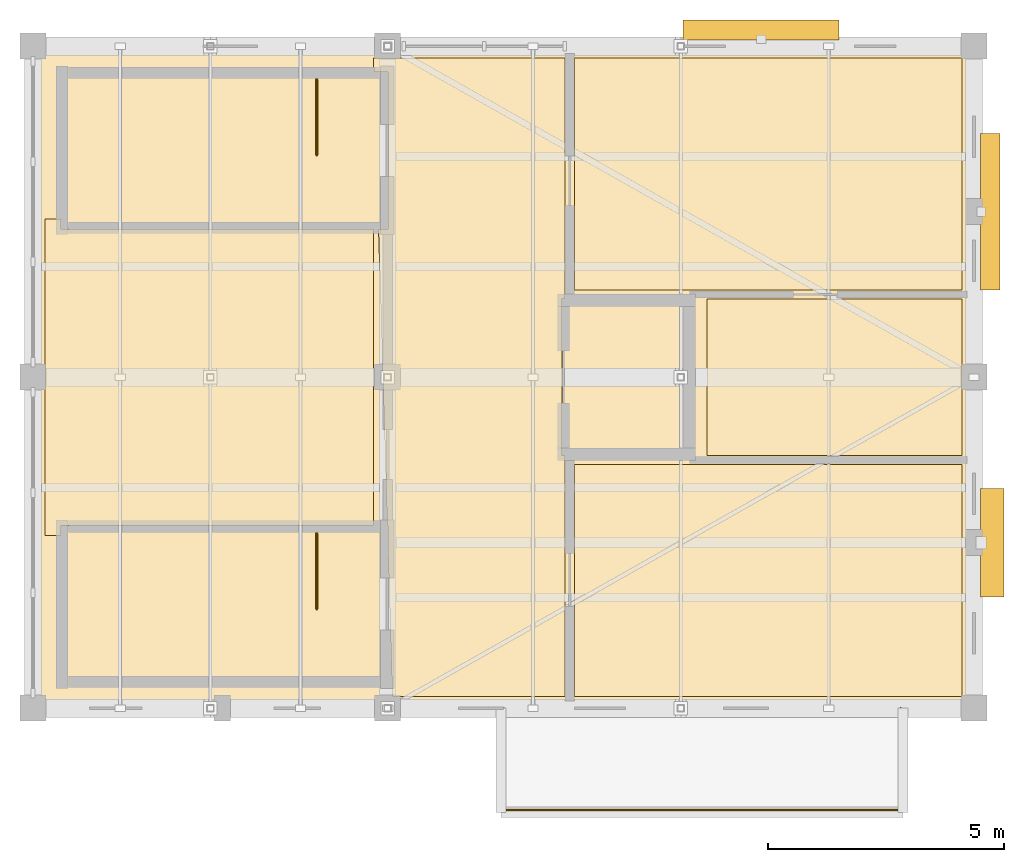
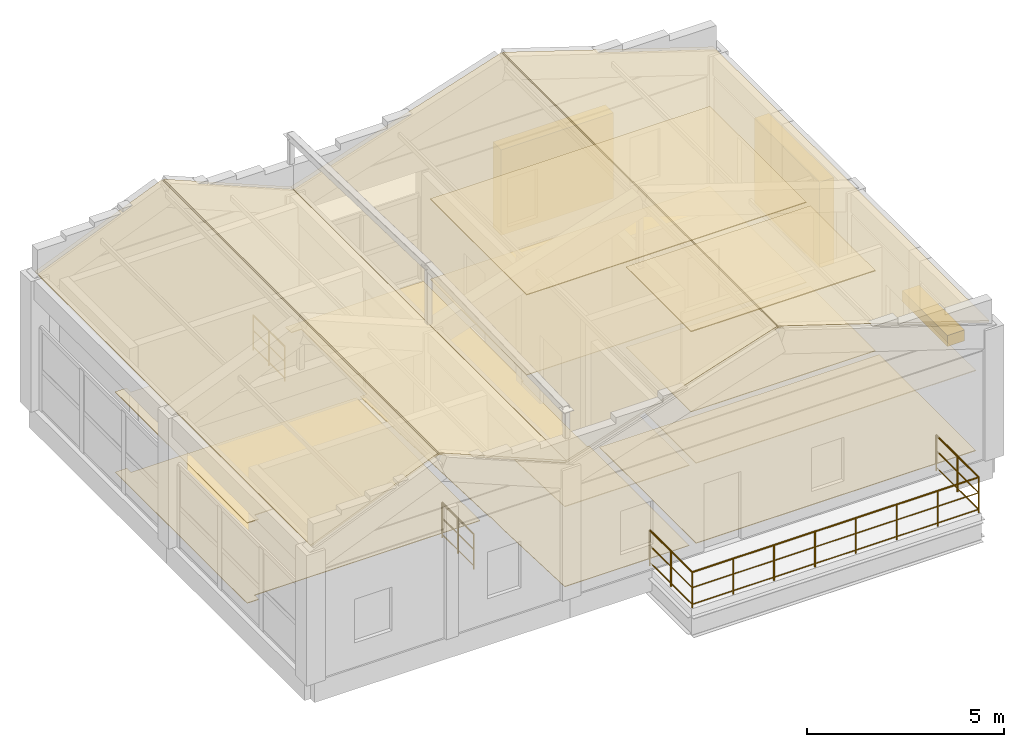
# One storey, part 8 of 8: 14 coverings, 3 railings, 3 shading devices.
"""IFC4 building model written with IfcOpenShell, lengths in metres."""

from ifc_helpers import new_model, si_unit, direction, frame, origin, origin_2d, place, context, subcontext, project, spatial, polyline, rectangle, circle, outline, extrude, material, layer, layer_set, type_object, element, save


model = new_model("IFC4")

# Units and contexts
model_context = context("Model", 3, precision=1e-05, world=origin(), true_north=direction((0.0, 1.0)))
body_context = subcontext(model_context, "Body", "Model", "MODEL_VIEW")
ifc_project = project(units=[si_unit("LENGTHUNIT", "METRE"), si_unit("AREAUNIT", "SQUARE_METRE"), si_unit("VOLUMEUNIT", "CUBIC_METRE"), si_unit("PLANEANGLEUNIT", "RADIAN"), si_unit("MASSUNIT", "GRAM", prefix="KILO")], contexts=[model_context])

# Site, building, storey
site_placement = place(None, origin())
site = spatial("IfcSite", under=ifc_project, at=site_placement, CompositionType="ELEMENT")
building_placement = place(site_placement, origin())
building = spatial("IfcBuilding", under=site, at=building_placement, Name="Trellovar Central Fire Station", CompositionType="ELEMENT")
storey_placement = place(building_placement, frame((0.0, 0.0, 22.050048828125)))
storey = spatial("IfcBuildingStorey", under=building, at=storey_placement, Name="L06", CompositionType="ELEMENT", Elevation=22.050048828125)

# Coverings
ifc_material_1 = material(Name="Perforated acoustic mineral fiber ceiling tile", Category="mineral")
ifc_layer_1 = layer(ifc_material_1, 0.02490234375)
ifc_layer_set_1 = layer_set([ifc_layer_1], Name="Perforated acoustic mineral fiber ceiling tile")
covering_type_1 = type_object("IfcCoveringType", Name="COV-CLG1", PredefinedType="CEILING", material=ifc_layer_set_1)
covering_1_placement = place(storey_placement, frame((0.0, 0.0, 2.47998046875)))
element("IfcCovering", 1, at=covering_1_placement, inside=storey, type_object=covering_type_1, Name="Drill Tower Belvedere Lobby suspended ceiling", PredefinedType="CEILING", context=body_context, shape_type="SweptSolid", body=[
    extrude(outline(polyline([(152.35009765625, 67.659912109375), (152.2900390625, 67.659912109375), (152.2900390625, 64.340087890625), (152.35009765625, 64.340087890625), (152.35009765625, 59.25), (148.699951171875, 59.25), (148.610107421875, 62.287109375), (148.610107421875, 62.860107421875), (148.593017578125, 62.860107421875), (148.406982421875, 69.139892578125), (148.610107421875, 69.139892578125), (148.610107421875, 72.4599609375), (148.30908203125, 72.4599609375), (148.300048828125, 72.75), (152.35009765625, 72.75), (152.35009765625, 67.659912109375)])), origin(), (0.0, 0.0, 1.0), 0.02490234375),
])
covering_2_placement = place(storey_placement, frame((0.0, 0.0, 2.47998046875)))
element("IfcCovering", 2, at=covering_2_placement, inside=storey, type_object=covering_type_1, Name="Hose Drying Winch Control Laboratory suspended ceiling", PredefinedType="CEILING", context=body_context, shape_type="SweptSolid", body=[
    extrude(outline(polyline([(141.68994140625, 69.35009765625), (141.68994140625, 69.139892578125), (148.300048828125, 69.139892578125), (148.300048828125, 62.860107421875), (141.68994140625, 62.860107421875), (141.68994140625, 62.64990234375), (141.35009765625, 62.64990234375), (141.35009765625, 69.35009765625), (141.68994140625, 69.35009765625)])), origin(), (0.0, 0.0, 1.0), 0.02490234375),
])
covering_3_placement = place(storey_placement, frame((0.0, 0.0, 2.47998046875)))
element("IfcCovering", 3, at=covering_3_placement, inside=storey, type_object=covering_type_1, Name="Aerial Ladder Observation Deck suspended ceiling", PredefinedType="CEILING", context=body_context, shape_type="SweptSolid", body=[
    extrude(outline(polyline([(160.75, 59.25), (152.550048828125, 59.25), (152.550048828125, 64.14990234375), (160.75, 64.14990234375), (160.75, 59.25)])), origin(), (0.0, 0.0, 1.0), 0.02490234375),
])
covering_4_placement = place(storey_placement, frame((0.0, 0.0, 2.47998046875)))
element("IfcCovering", 4, at=covering_4_placement, inside=storey, type_object=covering_type_1, Name="Rigging Anchor Equipment Store suspended ceiling", PredefinedType="CEILING", context=body_context, shape_type="SweptSolid", body=[
    extrude(outline(polyline([(160.75, 67.85009765625), (152.550048828125, 67.85009765625), (152.550048828125, 72.75), (160.75, 72.75), (160.75, 67.85009765625)])), origin(), (0.0, 0.0, 1.0), 0.02490234375),
])
ifc_material_2 = material(Name="Moisture-resistant gypsum ceiling board", Category="gypsum")
ifc_layer_2 = layer(ifc_material_2, 0.030029296875)
ifc_layer_set_2 = layer_set([ifc_layer_2], Name="Moisture-resistant gypsum ceiling board")
covering_type_2 = type_object("IfcCoveringType", Name="COV-CLG2", PredefinedType="CEILING", material=ifc_layer_set_2)
covering_5_placement = place(storey_placement, frame((0.0, 0.0, 2.47998046875)))
element("IfcCovering", 5, at=covering_5_placement, inside=storey, type_object=covering_type_2, Name="Tower Level Six Restroom suspended ceiling", PredefinedType="CEILING", context=body_context, shape_type="SweptSolid", body=[
    extrude(outline(polyline([(160.75, 64.35009765625), (155.35009765625, 64.35009765625), (155.35009765625, 67.64990234375), (160.75, 67.64990234375), (160.75, 64.35009765625)])), origin(), (0.0, 0.0, 1.0), 0.030029296875),
])
ifc_material_3 = material(Name="Vitrified Catalan ceramic floor tile", Category="masonry")
ifc_layer_3 = layer(ifc_material_3, 0.01806640625)
ifc_layer_set_3 = layer_set([ifc_layer_3], Name="Vitrified Catalan ceramic floor tile")
covering_type_3 = type_object("IfcCoveringType", Name="COV-FLR2", PredefinedType="FLOORING", material=ifc_layer_set_3)
covering_6_placement = place(storey_placement, origin())
element("IfcCovering", 6, at=covering_6_placement, inside=storey, type_object=covering_type_3, Name="Drill Tower Belvedere Lobby floor finish", PredefinedType="FLOORING", context=body_context, shape_type="SweptSolid", body=[
    extrude(outline(polyline([(152.35009765625, 67.659912109375), (152.2900390625, 67.659912109375), (152.2900390625, 64.340087890625), (152.35009765625, 64.340087890625), (152.35009765625, 59.25), (148.699951171875, 59.25), (148.610107421875, 62.287109375), (148.610107421875, 62.860107421875), (148.593017578125, 62.860107421875), (148.406982421875, 69.139892578125), (148.610107421875, 69.139892578125), (148.610107421875, 72.4599609375), (148.30908203125, 72.4599609375), (148.300048828125, 72.75), (152.35009765625, 72.75), (152.35009765625, 67.659912109375)])), origin(), (0.0, 0.0, 1.0), 0.01806640625),
])
covering_7_placement = place(storey_placement, origin())
element("IfcCovering", 7, at=covering_7_placement, inside=storey, type_object=covering_type_3, Name="Hose Drying Winch Control Laboratory floor finish", PredefinedType="FLOORING", context=body_context, shape_type="SweptSolid", body=[
    extrude(outline(polyline([(141.68994140625, 69.35009765625), (141.68994140625, 69.139892578125), (148.300048828125, 69.139892578125), (148.300048828125, 62.860107421875), (141.68994140625, 62.860107421875), (141.68994140625, 62.64990234375), (141.35009765625, 62.64990234375), (141.35009765625, 69.35009765625), (141.68994140625, 69.35009765625)])), origin(), (0.0, 0.0, 1.0), 0.01806640625),
])
covering_8_placement = place(storey_placement, origin())
element("IfcCovering", 8, at=covering_8_placement, inside=storey, type_object=covering_type_3, Name="Rigging Anchor Equipment Store floor finish", PredefinedType="FLOORING", context=body_context, shape_type="SweptSolid", body=[
    extrude(outline(polyline([(160.75, 67.85009765625), (152.550048828125, 67.85009765625), (152.550048828125, 72.75), (160.75, 72.75), (160.75, 67.85009765625)])), origin(), (0.0, 0.0, 1.0), 0.01806640625),
])
covering_9_placement = place(storey_placement, origin())
element("IfcCovering", 9, at=covering_9_placement, inside=storey, type_object=covering_type_3, Name="Tower Level Six Restroom floor finish", PredefinedType="FLOORING", context=body_context, shape_type="SweptSolid", body=[
    extrude(outline(polyline([(160.75, 64.35009765625), (155.35009765625, 64.35009765625), (155.35009765625, 67.64990234375), (160.75, 67.64990234375), (160.75, 64.35009765625)])), origin(), (0.0, 0.0, 1.0), 0.01806640625),
])
ifc_material_4 = material(Name="Resilient athletic impact rubber flooring", Category="finish")
ifc_layer_4 = layer(ifc_material_4, 0.02001953125)
ifc_layer_set_4 = layer_set([ifc_layer_4], Name="Resilient athletic impact rubber flooring")
covering_type_4 = type_object("IfcCoveringType", Name="COV-FLR3", PredefinedType="FLOORING", material=ifc_layer_set_4)
covering_10_placement = place(storey_placement, origin())
element("IfcCovering", 10, at=covering_10_placement, inside=storey, type_object=covering_type_4, Name="Aerial Ladder Observation Deck floor finish", PredefinedType="FLOORING", context=body_context, shape_type="SweptSolid", body=[
    extrude(outline(polyline([(160.75, 59.25), (152.550048828125, 59.25), (152.550048828125, 64.14990234375), (160.75, 64.14990234375), (160.75, 59.25)])), origin(), (0.0, 0.0, 1.0), 0.02001953125),
])
ifc_material_5 = material(Name="Glazed ceramic trencadis roofing", Category="masonry")
ifc_layer_5 = layer(ifc_material_5, 0.06005859375)
ifc_layer_set_5 = layer_set([ifc_layer_5], Name="Glazed ceramic trencadis roofing")
covering_type_5 = type_object("IfcCoveringType", Name="COV-RF1", PredefinedType="ROOFING", material=ifc_layer_set_5)
covering_11_placement = place(storey_placement, frame((141.10205078125, 59.0, 4.11083984375), z_axis=(-0.381971723915, 0.0, 0.924174010741), x_axis=(0.924174010741, 0.0, 0.381971723915)))
element("IfcCovering", 11, at=covering_11_placement, inside=storey, type_object=covering_type_5, Name="V2W glazed trencadis vault covering 01-01", PredefinedType="ROOFING", context=body_context, shape_type="SweptSolid", body=[
    extrude(outline(polyline([(0.0, 0.0), (4.028618515536852, 0.0), (4.028618515536852, 14.0), (0.0, 14.0), (0.0, 0.0)])), origin(), (0.0, 0.0, -1.0), 0.06005859375),
])
covering_12_placement = place(storey_placement, frame((144.875, 59.0, 5.649658203125), z_axis=(0.381993117872, 0.0, 0.924165168083), x_axis=(0.924165168083, 0.0, -0.381993117872)))
element("IfcCovering", 12, at=covering_12_placement, inside=storey, type_object=covering_type_5, Name="V2W glazed trencadis vault covering 01-02", PredefinedType="ROOFING", context=body_context, shape_type="SweptSolid", body=[
    extrude(outline(polyline([(0.0, 0.0), (4.028392888195657, 0.0), (4.028392888195657, 14.0), (0.0, 14.0), (0.0, 0.0)])), origin(), (0.0, 0.0, -1.0), 0.06005859375),
])
covering_13_placement = place(storey_placement, frame((148.60205078125, 59.0, 4.110595703125), z_axis=(-0.306993988276, 0.0, 0.951711453731), x_axis=(0.951711453731, 0.0, 0.306993988276)))
element("IfcCovering", 13, at=covering_13_placement, inside=storey, type_object=covering_type_5, Name="V2E glazed trencadis vault covering 01-01", PredefinedType="ROOFING", context=body_context, shape_type="SweptSolid", body=[
    extrude(outline(polyline([(0.0, 0.0), (6.4909276967917915, 0.0), (6.4909276967917915, 14.0), (0.0, 14.0), (0.0, 0.0)])), origin(), (0.0, 0.0, -1.0), 0.06005859375),
])
covering_14_placement = place(storey_placement, frame((154.8203125, 59.0, 6.103271484375), z_axis=(0.306982999389, 0.0, 0.951714998351), x_axis=(0.951714998351, 0.0, -0.306982999389)))
element("IfcCovering", 14, at=covering_14_placement, inside=storey, type_object=covering_type_5, Name="V2E glazed trencadis vault covering 01-02", PredefinedType="ROOFING", context=body_context, shape_type="SweptSolid", body=[
    extrude(outline(polyline([(0.0, 0.0), (6.491160048653626, 0.0), (6.491160048653626, 14.0), (0.0, 14.0), (0.0, 0.0)])), origin(), (0.0, 0.0, -1.0), 0.06005859375),
])

# Railings
ifc_material_6 = material(Name="Patina bronze wrought metalwork", Category="metal")
ifc_layer_6 = layer(ifc_material_6, 0.06005859375)
ifc_layer_set_6 = layer_set([ifc_layer_6], Name="Patina bronze wrought metalwork")
railing_type_1 = type_object("IfcRailingType", Name="RL-GUARD1", PredefinedType="GUARDRAIL", material=ifc_layer_set_6)
railing_1_placement = place(storey_placement, frame((151.050048828125, 59.0, 0.0)))
element("IfcRailing", 15, at=railing_1_placement, inside=storey, type_object=railing_type_1, Name="V2 L06 rappel evolution balcony guardrail", PredefinedType="GUARDRAIL", context=body_context, shape_type="SweptSolid", body=[
    extrude(circle(Radius=0.02392578125, at=origin_2d()), frame((0.0, 0.0, 1.09619140625), z_axis=(0.0, -1.0, 0.0), x_axis=(1.0, 0.0, 0.0)), (0.0, 0.0, 1.0), 2.14990234375),
    extrude(circle(Radius=0.015625, at=origin_2d()), frame((0.0, 0.0, 0.10009765625), z_axis=(0.0, -1.0, 0.0), x_axis=(1.0, 0.0, 0.0)), (0.0, 0.0, 1.0), 2.14990234375),
    extrude(circle(Radius=0.015625, at=origin_2d()), frame((0.0, 0.0, 0.615966796875), z_axis=(0.0, -1.0, 0.0), x_axis=(1.0, 0.0, 0.0)), (0.0, 0.0, 1.0), 2.14990234375),
    extrude(circle(Radius=0.02392578125, at=origin_2d()), frame((0.0, -2.14990234375, 1.09619140625), z_axis=(1.0, 0.0, 0.0), x_axis=(0.0, 1.0, 0.0)), (0.0, 0.0, 1.0), 8.39990234375),
    extrude(circle(Radius=0.015625, at=origin_2d()), frame((0.0, -2.14990234375, 0.10009765625), z_axis=(1.0, 0.0, 0.0), x_axis=(0.0, 1.0, 0.0)), (0.0, 0.0, 1.0), 8.39990234375),
    extrude(circle(Radius=0.015625, at=origin_2d()), frame((0.0, -2.14990234375, 0.615966796875), z_axis=(1.0, 0.0, 0.0), x_axis=(0.0, 1.0, 0.0)), (0.0, 0.0, 1.0), 8.39990234375),
    extrude(circle(Radius=0.02392578125, at=origin_2d()), frame((8.39990234375, -2.14990234375, 1.09619140625), z_axis=(0.0, 1.0, 0.0), x_axis=(-1.0, 0.0, 0.0)), (0.0, 0.0, 1.0), 2.14990234375),
    extrude(circle(Radius=0.015625, at=origin_2d()), frame((8.39990234375, -2.14990234375, 0.10009765625), z_axis=(0.0, 1.0, 0.0), x_axis=(-1.0, 0.0, 0.0)), (0.0, 0.0, 1.0), 2.14990234375),
    extrude(circle(Radius=0.015625, at=origin_2d()), frame((8.39990234375, -2.14990234375, 0.615966796875), z_axis=(0.0, 1.0, 0.0), x_axis=(-1.0, 0.0, 0.0)), (0.0, 0.0, 1.0), 2.14990234375),
    extrude(circle(Radius=0.02099609375, at=origin_2d()), origin(), (0.0, 0.0, 1.0), 1.072021484375),
    extrude(circle(Radius=0.02099609375, at=origin_2d()), frame((0.0, -1.074951171875, 0.0)), (0.0, 0.0, 1.0), 1.072021484375),
    extrude(circle(Radius=0.02099609375, at=origin_2d()), frame((0.0, -2.14990234375, 0.0)), (0.0, 0.0, 1.0), 1.072021484375),
    extrude(circle(Radius=0.02099609375, at=origin_2d()), frame((1.199951171875, -2.14990234375, 0.0)), (0.0, 0.0, 1.0), 1.072021484375),
    extrude(circle(Radius=0.02099609375, at=origin_2d()), frame((2.39990234375, -2.14990234375, 0.0)), (0.0, 0.0, 1.0), 1.072021484375),
    extrude(circle(Radius=0.02099609375, at=origin_2d()), frame((3.599853515625, -2.14990234375, 0.0)), (0.0, 0.0, 1.0), 1.072021484375),
    extrude(circle(Radius=0.02099609375, at=origin_2d()), frame((4.800048828125, -2.14990234375, 0.0)), (0.0, 0.0, 1.0), 1.072021484375),
    extrude(circle(Radius=0.02099609375, at=origin_2d()), frame((6.0, -2.14990234375, 0.0)), (0.0, 0.0, 1.0), 1.072021484375),
    extrude(circle(Radius=0.02099609375, at=origin_2d()), frame((7.199951171875, -2.14990234375, 0.0)), (0.0, 0.0, 1.0), 1.072021484375),
    extrude(circle(Radius=0.02099609375, at=origin_2d()), frame((8.39990234375, -2.14990234375, 0.0)), (0.0, 0.0, 1.0), 1.072021484375),
    extrude(circle(Radius=0.02099609375, at=origin_2d()), frame((8.39990234375, -1.074951171875, 0.0)), (0.0, 0.0, 1.0), 1.072021484375),
    extrude(circle(Radius=0.02099609375, at=origin_2d()), frame((8.39990234375, 0.0, 0.0)), (0.0, 0.0, 1.0), 1.072021484375),
])
ifc_material_7 = material(Name="Patina bronze wrought metalwork", Category="metal")
ifc_layer_7 = layer(ifc_material_7, 0.050048828125)
ifc_layer_set_7 = layer_set([ifc_layer_7], Name="Patina bronze wrought metalwork")
railing_type_2 = type_object("IfcRailingType", Name="RL-STGUARD", PredefinedType="GUARDRAIL", material=ifc_layer_set_7)
railing_2_placement = place(storey_placement, frame((147.10009765625, 62.699951171875, 0.0)))
element("IfcRailing", 16, at=railing_2_placement, inside=storey, type_object=railing_type_2, Name="L06 ST-05 top well guard 1", PredefinedType="GUARDRAIL", context=body_context, shape_type="SweptSolid", body=[
    extrude(circle(Radius=0.02392578125, at=origin_2d()), frame((0.0, 0.0, 1.076171875), z_axis=(0.0, -1.0, 0.0), x_axis=(1.0, 0.0, 0.0)), (0.0, 0.0, 1.0), 1.599853515625),
    extrude(circle(Radius=0.015625, at=origin_2d()), frame((0.0, 0.0, 0.10009765625), z_axis=(0.0, -1.0, 0.0), x_axis=(1.0, 0.0, 0.0)), (0.0, 0.0, 1.0), 1.599853515625),
    extrude(circle(Radius=0.015625, at=origin_2d()), frame((0.0, 0.0, 0.60498046875), z_axis=(0.0, -1.0, 0.0), x_axis=(1.0, 0.0, 0.0)), (0.0, 0.0, 1.0), 1.599853515625),
    extrude(circle(Radius=0.02099609375, at=origin_2d()), origin(), (0.0, 0.0, 1.0), 1.052001953125),
    extrude(circle(Radius=0.02099609375, at=origin_2d()), frame((0.0, -0.7998046875, 0.0)), (0.0, 0.0, 1.0), 1.052001953125),
    extrude(circle(Radius=0.02099609375, at=origin_2d()), frame((0.0, -1.599853515625, 0.0)), (0.0, 0.0, 1.0), 1.052001953125),
])
railing_3_placement = place(storey_placement, frame((147.10009765625, 72.300048828125, 0.0)))
element("IfcRailing", 17, at=railing_3_placement, inside=storey, type_object=railing_type_2, Name="L06 ST-06 top well guard 1", PredefinedType="GUARDRAIL", context=body_context, shape_type="SweptSolid", body=[
    extrude(circle(Radius=0.02392578125, at=origin_2d()), frame((0.0, 0.0, 1.076171875), z_axis=(0.0, -1.0, 0.0), x_axis=(1.0, 0.0, 0.0)), (0.0, 0.0, 1.0), 1.60009765625),
    extrude(circle(Radius=0.015625, at=origin_2d()), frame((0.0, 0.0, 0.10009765625), z_axis=(0.0, -1.0, 0.0), x_axis=(1.0, 0.0, 0.0)), (0.0, 0.0, 1.0), 1.60009765625),
    extrude(circle(Radius=0.015625, at=origin_2d()), frame((0.0, 0.0, 0.60498046875), z_axis=(0.0, -1.0, 0.0), x_axis=(1.0, 0.0, 0.0)), (0.0, 0.0, 1.0), 1.60009765625),
    extrude(circle(Radius=0.02099609375, at=origin_2d()), origin(), (0.0, 0.0, 1.0), 1.052001953125),
    extrude(circle(Radius=0.02099609375, at=origin_2d()), frame((0.0, -0.800048828125, 0.0)), (0.0, 0.0, 1.0), 1.052001953125),
    extrude(circle(Radius=0.02099609375, at=origin_2d()), frame((0.0, -1.60009765625, 0.0)), (0.0, 0.0, 1.0), 1.052001953125),
])

# Shading devices
ifc_material_8 = material(Name="Glazed ceramic trencadis and terracotta panel", Category="masonry")
shading_device_type_1 = type_object("IfcShadingDeviceType", Name="SHD-LV1", PredefinedType="JALOUSIE", material=ifc_material_8)
shading_device_placement = place(storey_placement, frame((161.385009765625, 62.5, 1.830078125), z_axis=(0.0, 0.0, 1.0), x_axis=(0.0, 1.0, 0.0)))
element("IfcShadingDevice", 18, at=shading_device_placement, inside=storey, type_object=shading_device_type_1, Name="L06 Catalan solar brise-soleil LV-1", PredefinedType="JALOUSIE", context=body_context, shape_type="SweptSolid", body=[
    extrude(rectangle(XDim=2.300048828125, YDim=0.5, at=origin_2d()), origin(), (0.0, 0.0, 1.0), 0.340087890625),
])
ifc_material_9 = material(Name="Glazed ceramic trencadis and terracotta panel", Category="masonry")
shading_device_type_2 = type_object("IfcShadingDeviceType", Name="SHD-LV3", PredefinedType="JALOUSIE", material=ifc_material_9)
for number, where, z_axis, x_axis, name in (
    (19, (156.5, 73.344970703125, 0.324951171875), (0.0, 0.0, 1.0), (1.0, 0.0, 0.0), "L06 Catalan solar brise-soleil LV-3"),
    (20, (161.344970703125, 69.5, 0.324951171875), (0.0, 0.0, 1.0), (0.0, 1.0, 0.0), "L06 Catalan solar brise-soleil LV-3"),
):
    element("IfcShadingDevice", number, at=place(storey_placement, frame(where, z_axis=z_axis, x_axis=x_axis)), inside=storey, type_object=shading_device_type_2, Name=name, PredefinedType="JALOUSIE", context=body_context, shape_type="SweptSolid", body=[
        extrude(rectangle(XDim=3.300048828125, YDim=0.419921875, at=origin_2d()), origin(), (0.0, 0.0, 1.0), 2.64990234375),
    ])

save(model, "model.ifc")
